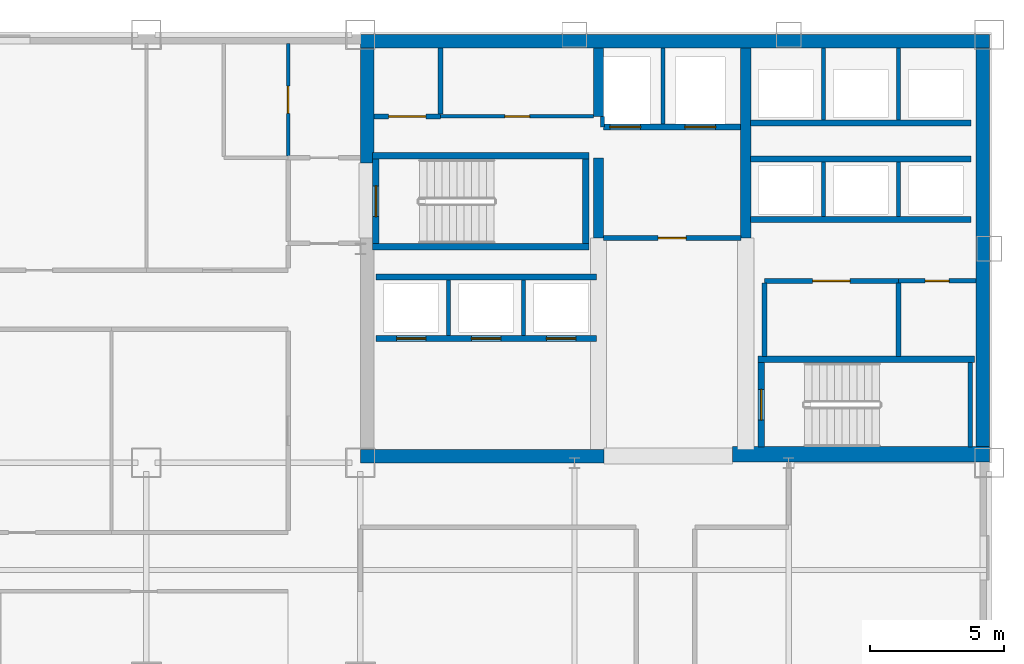
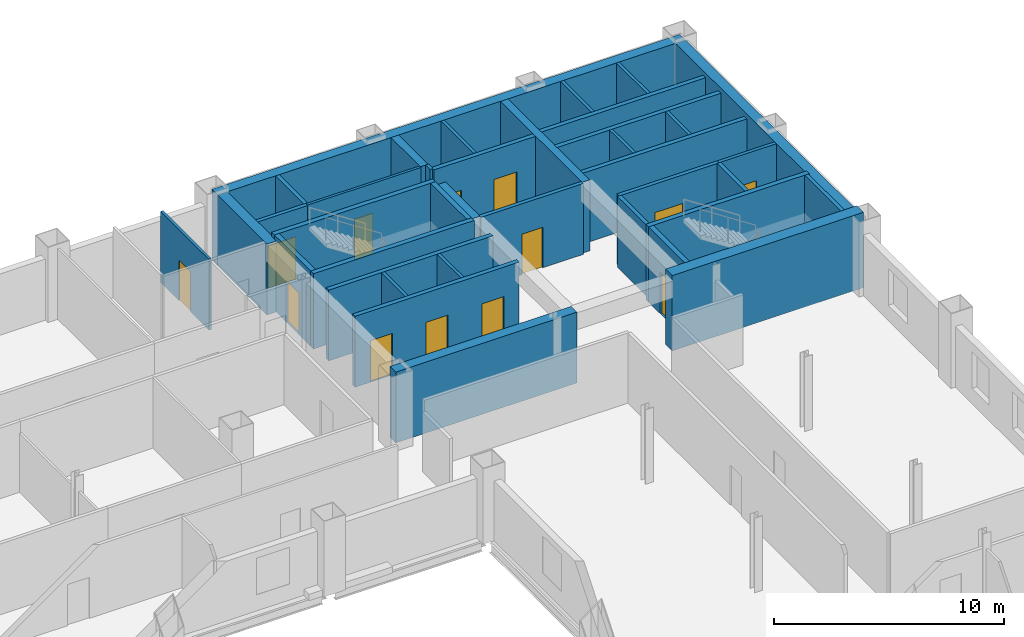
# One storey, part 7 of 10: 38 walls, 13 doors, 13 openings.
"""IFC4 building model written with IfcOpenShell, lengths in metres."""

from ifc_helpers import new_model, si_unit, direction, frame, frame_2d, origin, place, context, subcontext, project, spatial, rectangle, extrude, material, layer, layer_set, type_object, element, fill, save


model = new_model("IFC4")

# Units and contexts
model_context = context("Model", 3, precision=1e-05, world=origin(), true_north=direction((0.0, 1.0)))
body_context = subcontext(model_context, "Body", "Model", "MODEL_VIEW")
ifc_project = project(units=[si_unit("LENGTHUNIT", "METRE"), si_unit("AREAUNIT", "SQUARE_METRE"), si_unit("VOLUMEUNIT", "CUBIC_METRE"), si_unit("PLANEANGLEUNIT", "RADIAN"), si_unit("MASSUNIT", "GRAM", prefix="KILO")], contexts=[model_context])

# Site, building, storey
site_placement = place(None, origin())
site = spatial("IfcSite", under=ifc_project, at=site_placement, CompositionType="ELEMENT")
building_placement = place(site_placement, origin())
building = spatial("IfcBuilding", under=site, at=building_placement, Name="Qianrong Seaharbour Tower", CompositionType="ELEMENT")
storey_placement = place(building_placement, frame((0.0, 0.0, 131.0)))
storey = spatial("IfcBuildingStorey", under=building, at=storey_placement, Name="L31", CompositionType="ELEMENT", Elevation=131.0)

# Walls
ifc_material_1 = material(Name="Concrete C60/75", Category="concrete")
ifc_layer_1 = layer(ifc_material_1, 0.5)
ifc_layer_set_1 = layer_set([ifc_layer_1], Name="Concrete C60/75")
wall_type_1 = type_object("IfcWallType", Name="WALL-CORE-500", PredefinedType="SHEAR", material=ifc_layer_set_1)
wall_1_placement = place(storey_placement, frame((40.5, 51.75, 0.0), z_axis=(0.0, 0.0, 1.0), x_axis=(1.0, 0.0, 0.0)))
element("IfcWall", 1, at=wall_1_placement, inside=storey, type_object=wall_type_1, Name="L31 North Core Shear Wall", PredefinedType="SHEAR", context=body_context, shape_type="SweptSolid", body=[
    extrude(rectangle(XDim=23.5, YDim=0.5, at=frame_2d((11.75, 0.0))), origin(), (0.0, 0.0, 1.0), 3.764892578125),
])
wall_2_placement = place(storey_placement, frame((63.75, 36.320068359375, 0.0), z_axis=(0.0, 0.0, 1.0), x_axis=(0.0, 1.0, 0.0)))
element("IfcWall", 2, at=wall_2_placement, inside=storey, type_object=wall_type_1, Name="L31 East Core Shear Wall", PredefinedType="SHEAR", context=body_context, shape_type="SweptSolid", body=[
    extrude(rectangle(XDim=15.179931640625, YDim=0.5, at=frame_2d((7.58984375, 0.0))), origin(), (0.0, 0.0, 1.0), 3.764892578125),
])
wall_3_placement = place(storey_placement, frame((40.75, 47.199951171875, 0.0), z_axis=(0.0, 0.0, 1.0), x_axis=(0.0, 1.0, 0.0)))
element("IfcWall", 3, at=wall_3_placement, inside=storey, type_object=wall_type_1, Name="L31 West Core Shear Wall North", PredefinedType="SHEAR", context=body_context, shape_type="SweptSolid", body=[
    extrude(rectangle(XDim=4.300048828125, YDim=0.5, at=frame_2d((2.14990234375, 0.0))), origin(), (0.0, 0.0, 1.0), 3.764892578125),
])
wall_4_placement = place(storey_placement, frame((40.5, 36.25, 0.0), z_axis=(0.0, 0.0, 1.0), x_axis=(1.0, 0.0, 0.0)))
element("IfcWall", 4, at=wall_4_placement, inside=storey, type_object=wall_type_1, Name="L31 South Core Shear Wall S1", PredefinedType="SHEAR", context=body_context, shape_type="SweptSolid", body=[
    extrude(rectangle(XDim=9.10009765625, YDim=0.5, at=frame_2d((4.550048828125, 0.0))), origin(), (0.0, 0.0, 1.0), 3.764892578125),
])
ifc_material_2 = material(Name="Concrete C70/85", Category="concrete")
ifc_layer_2 = layer(ifc_material_2, 0.580078125)
ifc_layer_set_2 = layer_set([ifc_layer_2], Name="Concrete C70/85")
wall_type_2 = type_object("IfcWallType", Name="WALL-CORE-580", PredefinedType="SHEAR", material=ifc_layer_set_2)
wall_5_placement = place(storey_placement, frame((54.39990234375, 36.320068359375, 0.0), z_axis=(0.0, 0.0, 1.0), x_axis=(1.0, 0.0, 0.0)))
element("IfcWall", 5, at=wall_5_placement, inside=storey, type_object=wall_type_2, Name="L31 South Core Shear Wall S3", PredefinedType="SHEAR", context=body_context, shape_type="SweptSolid", body=[
    extrude(rectangle(XDim=9.60009765625, YDim=0.580078125, at=frame_2d((4.800048828125, 0.0))), origin(), (0.0, 0.0, 1.0), 4.0),
])
ifc_layer_3 = layer(ifc_material_1, 0.3798828125)
ifc_layer_set_3 = layer_set([ifc_layer_3], Name="Concrete C60/75")
wall_type_3 = type_object("IfcWallType", Name="WALL-CORE-INT-380", PredefinedType="SHEAR", material=ifc_layer_set_3)
wall_6_placement = place(storey_placement, frame((49.39990234375, 44.39990234375, 0.0), z_axis=(0.0, 0.0, 1.0), x_axis=(0.0, 1.0, 0.0)))
element("IfcWall", 6, at=wall_6_placement, inside=storey, type_object=wall_type_3, Name="L31 Internal Core Shear Wall IW1N1", PredefinedType="SHEAR", context=body_context, shape_type="SweptSolid", body=[
    extrude(rectangle(XDim=3.0, YDim=0.3798828125, at=frame_2d((1.5, 0.0))), origin(), (0.0, 0.0, 1.0), 3.764892578125),
])
wall_7_placement = place(storey_placement, frame((49.39990234375, 48.949951171875, 0.0), z_axis=(0.0, 0.0, 1.0), x_axis=(0.0, 1.0, 0.0)))
element("IfcWall", 7, at=wall_7_placement, inside=storey, type_object=wall_type_3, Name="L31 Internal Core Shear Wall IW1N2", PredefinedType="SHEAR", context=body_context, shape_type="SweptSolid", body=[
    extrude(rectangle(XDim=2.550048828125, YDim=0.3798828125, at=frame_2d((1.27490234375, 0.0))), origin(), (0.0, 0.0, 1.0), 3.764892578125),
])
wall_8_placement = place(storey_placement, frame((54.89990234375, 44.39990234375, 0.0), z_axis=(0.0, 0.0, 1.0), x_axis=(0.0, 1.0, 0.0)))
element("IfcWall", 8, at=wall_8_placement, inside=storey, type_object=wall_type_3, Name="L31 Internal Core Shear Wall IW2N", PredefinedType="SHEAR", context=body_context, shape_type="SweptSolid", body=[
    extrude(rectangle(XDim=7.10009765625, YDim=0.3798828125, at=frame_2d((3.550048828125, 0.0))), origin(), (0.0, 0.0, 1.0), 3.764892578125),
])

# Wall, opening, door
ifc_material_3 = material(Name="Fire-rated acoustic gypsum board partition")
ifc_layer_4 = layer(ifc_material_3, 0.1650390625)
ifc_layer_set_4 = layer_set([ifc_layer_4], Name="Fire-rated acoustic gypsum board partition")
wall_type_4 = type_object("IfcWallType", Name="WALL-CORR-PART-165", PredefinedType="PARTITIONING", material=ifc_layer_set_4)
wall_9_placement = place(storey_placement, frame((63.5, 42.800048828125, 0.0), z_axis=(0.0, 0.0, 1.0), x_axis=(-1.0, 0.0, 0.0)))
wall_9 = element("IfcWall", 9, at=wall_9_placement, inside=storey, type_object=wall_type_4, Name="L31 Interior Partition Wall 012", PredefinedType="PARTITIONING", context=body_context, shape_type="SweptSolid", body=[
    extrude(rectangle(XDim=2.89990234375, YDim=0.1650390625, at=frame_2d((1.449951171875, 0.0))), origin(), (0.0, 0.0, 1.0), 3.764892578125),
])
opening_1_placement = place(wall_9_placement, frame((1.0, 0.0, 0.0)))
opening_1 = element("IfcOpeningElement", 10, at=opening_1_placement, cuts=wall_9, Name="Opening DS-01", PredefinedType="OPENING", context=body_context, shape_type="SweptSolid", body=[
    extrude(rectangle(XDim=0.89990234375, YDim=2.14990234375, at=frame_2d((0.449951171875, 1.074951171875))), frame((0.0, 0.092529296875, 0.0), z_axis=(0.0, -1.0, 0.0), x_axis=(1.0, 0.0, 0.0)), (0.0, 0.0, 1.0), 0.18505859375),
])
ifc_material_4 = material(Name="Acoustic timber and galvanized steel fire door assembly", Category="steel")
door_type_1 = type_object("IfcDoorType", Name="DOOR-STORE-900x2150", OperationType="NOTDEFINED", PredefinedType="DOOR", material=ifc_material_4)
door_1_placement = place(opening_1_placement, origin())
door_1 = element("IfcDoor", 11, at=door_1_placement, inside=storey, type_object=door_type_1, Name="L31 Housekeeping Linen Store Door", OperationType="SINGLE_SWING_RIGHT", OverallHeight=2.14990234375, OverallWidth=0.89990234375, PredefinedType="DOOR", context=body_context, shape_type="SweptSolid", body=[
    extrude(rectangle(XDim=0.89990234375, YDim=2.14990234375, at=frame_2d((0.449951171875, 1.074951171875))), frame((0.0, 0.02490234375, 0.0), z_axis=(0.0, -1.0, 0.0), x_axis=(1.0, 0.0, 0.0)), (0.0, 0.0, 1.0), 0.050048828125),
])
fill(opening_1, door_1)

ifc_material_5 = material(Name="Double fire-rated gypsum board acoustic partition")
ifc_layer_5 = layer(ifc_material_5, 0.18994140625)
ifc_layer_set_5 = layer_set([ifc_layer_5], Name="Double fire-rated gypsum board acoustic partition")
wall_type_5 = type_object("IfcWallType", Name="WALL-FIRE-PART-190", PredefinedType="PARTITIONING", material=ifc_layer_set_5)
wall_10_placement = place(storey_placement, frame((41.0, 48.949951171875, 0.0), z_axis=(0.0, 0.0, 1.0), x_axis=(1.0, 0.0, 0.0)))
wall_10 = element("IfcWall", 12, at=wall_10_placement, inside=storey, type_object=wall_type_5, Name="L31 Interior Partition Wall 007", PredefinedType="PARTITIONING", context=body_context, shape_type="SweptSolid", body=[
    extrude(rectangle(XDim=2.5, YDim=0.18994140625, at=frame_2d((1.25, 0.0))), origin(), (0.0, 0.0, 1.0), 3.764892578125),
])
opening_2_placement = place(wall_10_placement, frame((0.550048828125, 0.0, 0.0)))
opening_2 = element("IfcOpeningElement", 13, at=opening_2_placement, cuts=wall_10, Name="Opening DP-01", PredefinedType="OPENING", context=body_context, shape_type="SweptSolid", body=[
    extrude(rectangle(XDim=1.39990234375, YDim=2.25, at=frame_2d((0.699951171875, 1.125))), frame((0.0, 0.10498046875, 0.0), z_axis=(0.0, -1.0, 0.0), x_axis=(1.0, 0.0, 0.0)), (0.0, 0.0, 1.0), 0.2099609375),
])
door_type_2 = type_object("IfcDoorType", Name="DOOR-PLANT-PAIR-1400x2250", OperationType="DOUBLE_DOOR_SINGLE_SWING", PredefinedType="DOOR", material=ifc_material_4)
door_2_placement = place(opening_2_placement, origin())
door_2 = element("IfcDoor", 14, at=door_2_placement, inside=storey, type_object=door_type_2, Name="L31 Core Electrical Closet Door", OperationType="DOUBLE_DOOR_SINGLE_SWING", OverallHeight=2.25, OverallWidth=1.39990234375, PredefinedType="DOOR", context=body_context, shape_type="SweptSolid", body=[
    extrude(rectangle(XDim=1.39990234375, YDim=2.25, at=frame_2d((0.699951171875, 1.125))), frame((0.0, 0.02490234375, 0.0), z_axis=(0.0, -1.0, 0.0), x_axis=(1.0, 0.0, 0.0)), (0.0, 0.0, 1.0), 0.050048828125),
])
fill(opening_2, door_2)

wall_11_placement = place(storey_placement, frame((54.718017578125, 44.39990234375, 0.0), z_axis=(0.0, 0.0, 1.0), x_axis=(-1.0, 0.0, 0.0)))
wall_11 = element("IfcWall", 15, at=wall_11_placement, inside=storey, type_object=wall_type_5, Name="L31 Interior Partition Wall 009", PredefinedType="PARTITIONING", context=body_context, shape_type="SweptSolid", body=[
    extrude(rectangle(XDim=5.135986328125, YDim=0.18994140625, at=frame_2d((2.56787109375, 0.0))), origin(), (0.0, 0.0, 1.0), 3.764892578125),
])
opening_3_placement = place(wall_11_placement, frame((2.04296875, 0.0, 0.0)))
opening_3 = element("IfcOpeningElement", 16, at=opening_3_placement, cuts=wall_11, Name="Opening DC-01", PredefinedType="OPENING", context=body_context, shape_type="SweptSolid", body=[
    extrude(rectangle(XDim=1.050048828125, YDim=2.14990234375, at=frame_2d((0.52490234375, 1.074951171875))), frame((0.0, 0.10498046875, 0.0), z_axis=(0.0, -1.0, 0.0), x_axis=(1.0, 0.0, 0.0)), (0.0, 0.0, 1.0), 0.2099609375),
])
door_type_3 = type_object("IfcDoorType", Name="DOOR-CORR-FD60-1050x2150", OperationType="NOTDEFINED", PredefinedType="DOOR", material=ifc_material_4)
door_3_placement = place(opening_3_placement, origin())
door_3 = element("IfcDoor", 17, at=door_3_placement, inside=storey, type_object=door_type_3, Name="L31 Firefighting Lift Lobby Door", OperationType="SINGLE_SWING_RIGHT", OverallHeight=2.14990234375, OverallWidth=1.050048828125, PredefinedType="DOOR", context=body_context, shape_type="SweptSolid", body=[
    extrude(rectangle(XDim=1.050048828125, YDim=2.14990234375, at=frame_2d((0.52490234375, 1.074951171875))), frame((0.0, 0.02490234375, 0.0), z_axis=(0.0, -1.0, 0.0), x_axis=(1.0, 0.0, 0.0)), (0.0, 0.0, 1.0), 0.050048828125),
])
fill(opening_3, door_3)

# Wall
wall_12_placement = place(storey_placement, frame((55.60009765625, 42.712890625, 0.0), z_axis=(0.0, 0.0, 1.0), x_axis=(0.0, -1.0, 0.0)))
element("IfcWall", 18, at=wall_12_placement, inside=storey, type_object=wall_type_5, Name="L31 Interior Partition Wall 010", PredefinedType="PARTITIONING", context=body_context, shape_type="SweptSolid", body=[
    extrude(rectangle(XDim=2.73095703125, YDim=0.18994140625, at=frame_2d((1.365478515625, 0.0))), origin(), (0.0, 0.0, 1.0), 3.764892578125),
])

# Wall, opening, door
wall_13_placement = place(storey_placement, frame((60.60009765625, 42.800048828125, 0.0), z_axis=(0.0, 0.0, 1.0), x_axis=(-1.0, 0.0, 0.0)))
wall_13 = element("IfcWall", 19, at=wall_13_placement, inside=storey, type_object=wall_type_5, Name="L31 Interior Partition Wall 011", PredefinedType="PARTITIONING", context=body_context, shape_type="SweptSolid", body=[
    extrude(rectangle(XDim=5.0, YDim=0.18994140625, at=frame_2d((2.5, 0.0))), origin(), (0.0, 0.0, 1.0), 3.764892578125),
])
opening_4_placement = place(wall_13_placement, frame((1.800048828125, 0.0, 0.0)))
opening_4 = element("IfcOpeningElement", 20, at=opening_4_placement, cuts=wall_13, Name="Opening DP-01", PredefinedType="OPENING", context=body_context, shape_type="SweptSolid", body=[
    extrude(rectangle(XDim=1.39990234375, YDim=2.25, at=frame_2d((0.699951171875, 1.125))), frame((0.0, 0.10498046875, 0.0), z_axis=(0.0, -1.0, 0.0), x_axis=(1.0, 0.0, 0.0)), (0.0, 0.0, 1.0), 0.2099609375),
])
door_4_placement = place(opening_4_placement, origin())
door_4 = element("IfcDoor", 21, at=door_4_placement, inside=storey, type_object=door_type_2, Name="L31 Submetering Switch Room Door", OperationType="DOUBLE_DOOR_SINGLE_SWING", OverallHeight=2.25, OverallWidth=1.39990234375, PredefinedType="DOOR", context=body_context, shape_type="SweptSolid", body=[
    extrude(rectangle(XDim=1.39990234375, YDim=2.25, at=frame_2d((0.699951171875, 1.125))), frame((0.0, 0.02490234375, 0.0), z_axis=(0.0, -1.0, 0.0), x_axis=(1.0, 0.0, 0.0)), (0.0, 0.0, 1.0), 0.050048828125),
])
fill(opening_4, door_4)

# Walls
wall_14_placement = place(storey_placement, frame((43.5, 51.5, 0.0), z_axis=(0.0, 0.0, 1.0), x_axis=(0.0, -1.0, 0.0)))
element("IfcWall", 22, at=wall_14_placement, inside=storey, type_object=wall_type_5, Name="L31 Interior Partition Wall 013", PredefinedType="PARTITIONING", context=body_context, shape_type="SweptSolid", body=[
    extrude(rectangle(XDim=2.462890625, YDim=0.18994140625, at=frame_2d((1.2314453125, 0.0))), origin(), (0.0, 0.0, 1.0), 3.764892578125),
])
wall_15_placement = place(storey_placement, frame((60.60009765625, 42.712890625, 0.0), z_axis=(0.0, 0.0, 1.0), x_axis=(0.0, -1.0, 0.0)))
element("IfcWall", 23, at=wall_15_placement, inside=storey, type_object=wall_type_5, Name="L31 Interior Partition Wall 014", PredefinedType="PARTITIONING", context=body_context, shape_type="SweptSolid", body=[
    extrude(rectangle(XDim=2.73095703125, YDim=0.18994140625, at=frame_2d((1.365478515625, 0.0))), origin(), (0.0, 0.0, 1.0), 3.764892578125),
])
ifc_material_6 = material(Name="Fire-rated gypsum board on steel studs", Category="steel")
ifc_layer_6 = layer(ifc_material_6, 0.14990234375)
ifc_layer_set_6 = layer_set([ifc_layer_6], Name="Fire-rated gypsum board on steel studs")
wall_type_6 = type_object("IfcWallType", Name="WALL-SHAFT-DIV-150", PredefinedType="PARTITIONING", material=ifc_layer_set_6)
wall_16_placement = place(storey_placement, frame((51.800048828125, 48.669921875, 0.0), z_axis=(0.0, 0.0, 1.0), x_axis=(0.0, 1.0, 0.0)))
element("IfcWall", 24, at=wall_16_placement, inside=storey, type_object=wall_type_6, Name="L31 Firefighting Lift Shaft Divider Wall", PredefinedType="PARTITIONING", context=body_context, shape_type="SweptSolid", body=[
    extrude(rectangle(XDim=2.830078125, YDim=0.14990234375, at=frame_2d((1.4150390625, 0.0))), origin(), (0.0, 0.0, 1.0), 3.764892578125),
])
wall_17_placement = place(storey_placement, frame((49.550048828125, 48.550048828125, 0.0), z_axis=(0.0, 0.0, 1.0), x_axis=(0.0, 1.0, 0.0)))
element("IfcWall", 25, at=wall_17_placement, inside=storey, type_object=wall_type_6, Name="L31 Firefighting Lift Shaft West Return Wall", PredefinedType="PARTITIONING", context=body_context, shape_type="SweptSolid", body=[
    extrude(rectangle(XDim=0.39990234375, YDim=0.14990234375, at=frame_2d((0.199951171875, 0.0))), origin(), (0.0, 0.0, 1.0), 3.764892578125),
])
for number, where, z_axis, x_axis, name in (
    (26, (43.800048828125, 40.760009765625, 0.0), (0.0, 0.0, 1.0), (0.0, 1.0, 0.0), "L31 P2 Lift Hoistway Divider 2"),
    (27, (46.60009765625, 40.760009765625, 0.0), (0.0, 0.0, 1.0), (0.0, 1.0, 0.0), "L31 P2 Lift Hoistway Divider 3"),
):
    element("IfcWall", number, at=place(storey_placement, frame(where, z_axis=z_axis, x_axis=x_axis)), inside=storey, type_object=wall_type_6, Name=name, PredefinedType="PARTITIONING", context=body_context, shape_type="SweptSolid", body=[
        extrude(rectangle(XDim=2.080078125, YDim=0.14990234375, at=frame_2d((1.0400390625, 0.0))), origin(), (0.0, 0.0, 1.0), 3.764892578125),
    ])
for number, where, z_axis, x_axis, name in (
    (28, (57.800048828125, 45.2099609375, 0.0), (0.0, 0.0, 1.0), (0.0, 1.0, 0.0), "L31 P3 Lift Hoistway Divider 2"),
    (29, (60.60009765625, 45.2099609375, 0.0), (0.0, 0.0, 1.0), (0.0, 1.0, 0.0), "L31 P3 Lift Hoistway Divider 3"),
):
    element("IfcWall", number, at=place(storey_placement, frame(where, z_axis=z_axis, x_axis=x_axis)), inside=storey, type_object=wall_type_6, Name=name, PredefinedType="PARTITIONING", context=body_context, shape_type="SweptSolid", body=[
        extrude(rectangle(XDim=2.030029296875, YDim=0.14990234375, at=frame_2d((1.01513671875, 0.0))), origin(), (0.0, 0.0, 1.0), 3.764892578125),
    ])
for number, where, z_axis, x_axis, name in (
    (30, (57.800048828125, 48.81005859375, 0.0), (0.0, 0.0, 1.0), (0.0, 1.0, 0.0), "L31 P4 Lift Hoistway Divider 2"),
    (31, (60.60009765625, 48.81005859375, 0.0), (0.0, 0.0, 1.0), (0.0, 1.0, 0.0), "L31 P4 Lift Hoistway Divider 3"),
):
    element("IfcWall", number, at=place(storey_placement, frame(where, z_axis=z_axis, x_axis=x_axis)), inside=storey, type_object=wall_type_6, Name=name, PredefinedType="PARTITIONING", context=body_context, shape_type="SweptSolid", body=[
        extrude(rectangle(XDim=2.68994140625, YDim=0.14990234375, at=frame_2d((1.344970703125, 0.0))), origin(), (0.0, 0.0, 1.0), 3.764892578125),
    ])

# Wall, openings, doors
ifc_layer_7 = layer(ifc_material_6, 0.219970703125)
ifc_layer_set_7 = layer_set([ifc_layer_7], Name="Fire-rated gypsum board on steel studs")
wall_type_7 = type_object("IfcWallType", Name="WALL-SHAFT-GYP220", PredefinedType="PARTITIONING", material=ifc_layer_set_7)
wall_18_placement = place(storey_placement, frame((54.7099609375, 48.550048828125, 0.0), z_axis=(0.0, 0.0, 1.0), x_axis=(-1.0, 0.0, 0.0)))
wall_18 = element("IfcWall", 32, at=wall_18_placement, inside=storey, type_object=wall_type_7, Name="L31 Firefighting Lift Shaft Front Wall", PredefinedType="PARTITIONING", context=body_context, shape_type="SweptSolid", body=[
    extrude(rectangle(XDim=5.119873046875, YDim=0.219970703125, at=frame_2d((2.56005859375, 0.0))), origin(), (0.0, 0.0, 1.0), 3.764892578125),
])
opening_5_placement = place(wall_18_placement, frame((3.735107421875, 0.0, 0.0)))
opening_5 = element("IfcOpeningElement", 33, at=opening_5_placement, cuts=wall_18, Name="Opening LD-01", PredefinedType="OPENING", context=body_context, shape_type="SweptSolid", body=[
    extrude(rectangle(XDim=1.14990234375, YDim=2.199951171875, at=frame_2d((0.574951171875, 1.10009765625))), frame((0.0, 0.1201171875, 0.0), z_axis=(0.0, -1.0, 0.0), x_axis=(1.0, 0.0, 0.0)), (0.0, 0.0, 1.0), 0.239990234375),
])
opening_6_placement = place(wall_18_placement, frame((0.93505859375, 0.0, 0.0)))
opening_6 = element("IfcOpeningElement", 34, at=opening_6_placement, cuts=wall_18, Name="Opening LD-01", PredefinedType="OPENING", context=body_context, shape_type="SweptSolid", body=[
    extrude(rectangle(XDim=1.14990234375, YDim=2.199951171875, at=frame_2d((0.574951171875, 1.10009765625))), frame((0.0, 0.1201171875, 0.0), z_axis=(0.0, -1.0, 0.0), x_axis=(1.0, 0.0, 0.0)), (0.0, 0.0, 1.0), 0.239990234375),
])
ifc_material_7 = material(Name="Stainless steel SUS316L bi-parting lift landing door", Category="steel")
door_type_4 = type_object("IfcDoorType", Name="DOOR-LIFT-FF-1150x2200", OperationType="DOUBLE_DOOR_SLIDING", PredefinedType="DOOR", material=ifc_material_7)
door_5_placement = place(opening_5_placement, origin())
door_5 = element("IfcDoor", 35, at=door_5_placement, inside=storey, type_object=door_type_4, Name="L31 FL-1 Firefighting Lift Landing Door", OperationType="DOUBLE_DOOR_SLIDING", OverallHeight=2.199951171875, OverallWidth=1.14990234375, PredefinedType="DOOR", context=body_context, shape_type="SweptSolid", body=[
    extrude(rectangle(XDim=1.14990234375, YDim=2.199951171875, at=frame_2d((0.574951171875, 1.10009765625))), frame((0.0, 0.02490234375, 0.0), z_axis=(0.0, -1.0, 0.0), x_axis=(1.0, 0.0, 0.0)), (0.0, 0.0, 1.0), 0.050048828125),
])
fill(opening_5, door_5)
door_6_placement = place(opening_6_placement, origin())
door_6 = element("IfcDoor", 36, at=door_6_placement, inside=storey, type_object=door_type_4, Name="L31 FL-2 Firefighting Lift Landing Door", OperationType="DOUBLE_DOOR_SLIDING", OverallHeight=2.199951171875, OverallWidth=1.14990234375, PredefinedType="DOOR", context=body_context, shape_type="SweptSolid", body=[
    extrude(rectangle(XDim=1.14990234375, YDim=2.199951171875, at=frame_2d((0.574951171875, 1.10009765625))), frame((0.0, 0.02490234375, 0.0), z_axis=(0.0, -1.0, 0.0), x_axis=(1.0, 0.0, 0.0)), (0.0, 0.0, 1.0), 0.050048828125),
])
fill(opening_6, door_6)

wall_19_placement = place(storey_placement, frame((49.320068359375, 40.64990234375, 0.0), z_axis=(0.0, 0.0, 1.0), x_axis=(-1.0, 0.0, 0.0)))
wall_19 = element("IfcWall", 37, at=wall_19_placement, inside=storey, type_object=wall_type_7, Name="L31 P2 Lift Hoistway Front Wall", PredefinedType="PARTITIONING", context=body_context, shape_type="SweptSolid", body=[
    extrude(rectangle(XDim=8.239990234375, YDim=0.219970703125, at=frame_2d((4.1201171875, 0.0))), origin(), (0.0, 0.0, 1.0), 3.764892578125),
])
opening_7_placement = place(wall_19_placement, frame((6.3701171875, 0.0, 0.0)))
opening_7 = element("IfcOpeningElement", 38, at=opening_7_placement, cuts=wall_19, Name="Opening LD-02", PredefinedType="OPENING", context=body_context, shape_type="SweptSolid", body=[
    extrude(rectangle(XDim=1.10009765625, YDim=2.199951171875, at=frame_2d((0.550048828125, 1.10009765625))), frame((0.0, 0.1201171875, 0.0), z_axis=(0.0, -1.0, 0.0), x_axis=(1.0, 0.0, 0.0)), (0.0, 0.0, 1.0), 0.239990234375),
])
opening_8_placement = place(wall_19_placement, frame((3.570068359375, 0.0, 0.0)))
opening_8 = element("IfcOpeningElement", 39, at=opening_8_placement, cuts=wall_19, Name="Opening LD-02", PredefinedType="OPENING", context=body_context, shape_type="SweptSolid", body=[
    extrude(rectangle(XDim=1.10009765625, YDim=2.199951171875, at=frame_2d((0.550048828125, 1.10009765625))), frame((0.0, 0.1201171875, 0.0), z_axis=(0.0, -1.0, 0.0), x_axis=(1.0, 0.0, 0.0)), (0.0, 0.0, 1.0), 0.239990234375),
])
opening_9_placement = place(wall_19_placement, frame((0.77001953125, 0.0, 0.0)))
opening_9 = element("IfcOpeningElement", 40, at=opening_9_placement, cuts=wall_19, Name="Opening LD-02", PredefinedType="OPENING", context=body_context, shape_type="SweptSolid", body=[
    extrude(rectangle(XDim=1.10009765625, YDim=2.199951171875, at=frame_2d((0.550048828125, 1.10009765625))), frame((0.0, 0.1201171875, 0.0), z_axis=(0.0, -1.0, 0.0), x_axis=(1.0, 0.0, 0.0)), (0.0, 0.0, 1.0), 0.239990234375),
])
door_type_5 = type_object("IfcDoorType", Name="DOOR-LIFT-PASS-1100x2200", OperationType="DOUBLE_DOOR_SLIDING", PredefinedType="DOOR", material=ifc_material_7)
door_7_placement = place(opening_7_placement, origin())
door_7 = element("IfcDoor", 41, at=door_7_placement, inside=storey, type_object=door_type_5, Name="L31 PL-2A Lift Landing Door", OperationType="DOUBLE_DOOR_SLIDING", OverallHeight=2.199951171875, OverallWidth=1.10009765625, PredefinedType="DOOR", context=body_context, shape_type="SweptSolid", body=[
    extrude(rectangle(XDim=1.10009765625, YDim=2.199951171875, at=frame_2d((0.550048828125, 1.10009765625))), frame((0.0, 0.02490234375, 0.0), z_axis=(0.0, -1.0, 0.0), x_axis=(1.0, 0.0, 0.0)), (0.0, 0.0, 1.0), 0.050048828125),
])
fill(opening_7, door_7)
door_8_placement = place(opening_8_placement, origin())
door_8 = element("IfcDoor", 42, at=door_8_placement, inside=storey, type_object=door_type_5, Name="L31 PL-2B Lift Landing Door", OperationType="DOUBLE_DOOR_SLIDING", OverallHeight=2.199951171875, OverallWidth=1.10009765625, PredefinedType="DOOR", context=body_context, shape_type="SweptSolid", body=[
    extrude(rectangle(XDim=1.10009765625, YDim=2.199951171875, at=frame_2d((0.550048828125, 1.10009765625))), frame((0.0, 0.02490234375, 0.0), z_axis=(0.0, -1.0, 0.0), x_axis=(1.0, 0.0, 0.0)), (0.0, 0.0, 1.0), 0.050048828125),
])
fill(opening_8, door_8)
door_9_placement = place(opening_9_placement, origin())
door_9 = element("IfcDoor", 43, at=door_9_placement, inside=storey, type_object=door_type_5, Name="L31 PL-2C Lift Landing Door", OperationType="DOUBLE_DOOR_SLIDING", OverallHeight=2.199951171875, OverallWidth=1.10009765625, PredefinedType="DOOR", context=body_context, shape_type="SweptSolid", body=[
    extrude(rectangle(XDim=1.10009765625, YDim=2.199951171875, at=frame_2d((0.550048828125, 1.10009765625))), frame((0.0, 0.02490234375, 0.0), z_axis=(0.0, -1.0, 0.0), x_axis=(1.0, 0.0, 0.0)), (0.0, 0.0, 1.0), 0.050048828125),
])
fill(opening_9, door_9)

# Walls
for number, where, z_axis, x_axis, name in (
    (44, (41.080078125, 42.949951171875, 0.0), (0.0, 0.0, 1.0), (1.0, 0.0, 0.0), "L31 P2 Lift Hoistway Back Wall"),
    (45, (63.320068359375, 45.10009765625, 0.0), (0.0, 0.0, 1.0), (-1.0, 0.0, 0.0), "L31 P3 Lift Hoistway Front Wall"),
    (46, (55.080078125, 47.35009765625, 0.0), (0.0, 0.0, 1.0), (1.0, 0.0, 0.0), "L31 P3 Lift Hoistway Back Wall"),
    (47, (63.320068359375, 48.699951171875, 0.0), (0.0, 0.0, 1.0), (-1.0, 0.0, 0.0), "L31 P4 Lift Hoistway Front Wall"),
):
    element("IfcWall", number, at=place(storey_placement, frame(where, z_axis=z_axis, x_axis=x_axis)), inside=storey, type_object=wall_type_7, Name=name, PredefinedType="PARTITIONING", context=body_context, shape_type="SweptSolid", body=[
        extrude(rectangle(XDim=8.239990234375, YDim=0.219970703125, at=frame_2d((4.1201171875, 0.0))), origin(), (0.0, 0.0, 1.0), 3.764892578125),
    ])
ifc_material_8 = material(Name="Concrete C50/60", Category="concrete")
ifc_layer_8 = layer(ifc_material_8, 0.239990234375)
ifc_layer_set_8 = layer_set([ifc_layer_8], Name="Concrete C50/60")
wall_type_8 = type_object("IfcWallType", Name="WALL-SHAFT-RC240", PredefinedType="SOLIDWALL", material=ifc_layer_set_8)
for number, where, z_axis, x_axis, name in (
    (48, (40.9599609375, 47.469970703125, 0.0), (0.0, 0.0, 1.0), (1.0, 0.0, 0.0), "L31 ST-1 Structural Stair Core Wall N"),
    (49, (49.0400390625, 44.080078125, 0.0), (0.0, 0.0, 1.0), (-1.0, 0.0, 0.0), "L31 ST-1 Structural Stair Core Wall S"),
):
    element("IfcWall", number, at=place(storey_placement, frame(where, z_axis=z_axis, x_axis=x_axis)), inside=storey, type_object=wall_type_8, Name=name, PredefinedType="SOLIDWALL", context=body_context, shape_type="SweptSolid", body=[
        extrude(rectangle(XDim=8.080078125, YDim=0.239990234375, at=frame_2d((4.0400390625, 0.0))), origin(), (0.0, 0.0, 1.0), 4.0),
    ])

# Wall, opening, door
wall_20_placement = place(storey_placement, frame((41.080078125, 47.35009765625, 0.0), z_axis=(0.0, 0.0, 1.0), x_axis=(0.0, -1.0, 0.0)))
wall_20 = element("IfcWall", 50, at=wall_20_placement, inside=storey, type_object=wall_type_8, Name="L31 ST-1 Structural Stair Core Wall W", PredefinedType="SOLIDWALL", context=body_context, shape_type="SweptSolid", body=[
    extrude(rectangle(XDim=3.150146484375, YDim=0.239990234375, at=frame_2d((1.5751953125, 0.0))), origin(), (0.0, 0.0, 1.0), 4.0),
])
opening_10_placement = place(wall_20_placement, frame((1.0, 0.0, 0.0)))
opening_10 = element("IfcOpeningElement", 51, at=opening_10_placement, cuts=wall_20, Name="Opening SD-01", PredefinedType="OPENING", context=body_context, shape_type="SweptSolid", body=[
    extrude(rectangle(XDim=1.14990234375, YDim=2.199951171875, at=frame_2d((0.574951171875, 1.10009765625))), frame((0.0, 0.1298828125, 0.0), z_axis=(0.0, -1.0, 0.0), x_axis=(1.0, 0.0, 0.0)), (0.0, 0.0, 1.0), 0.260009765625),
])
door_type_6 = type_object("IfcDoorType", Name="DOOR-STAIR-FD60-1150x2200", OperationType="NOTDEFINED", PredefinedType="DOOR", material=ifc_material_4)
door_10_placement = place(opening_10_placement, origin())
door_10 = element("IfcDoor", 52, at=door_10_placement, inside=storey, type_object=door_type_6, Name="L31 ST-1 Protected Stair Door", OperationType="SINGLE_SWING_RIGHT", OverallHeight=2.199951171875, OverallWidth=1.14990234375, PredefinedType="DOOR", context=body_context, shape_type="SweptSolid", body=[
    extrude(rectangle(XDim=1.14990234375, YDim=2.199951171875, at=frame_2d((0.574951171875, 1.10009765625))), frame((0.0, 0.02490234375, 0.0), z_axis=(0.0, -1.0, 0.0), x_axis=(1.0, 0.0, 0.0)), (0.0, 0.0, 1.0), 0.050048828125),
])
fill(opening_10, door_10)

# Walls
wall_21_placement = place(storey_placement, frame((48.919921875, 44.199951171875, 0.0), z_axis=(0.0, 0.0, 1.0), x_axis=(0.0, 1.0, 0.0)))
element("IfcWall", 53, at=wall_21_placement, inside=storey, type_object=wall_type_8, Name="L31 ST-1 Structural Stair Core Wall E", PredefinedType="SOLIDWALL", context=body_context, shape_type="SweptSolid", body=[
    extrude(rectangle(XDim=3.150146484375, YDim=0.239990234375, at=frame_2d((1.5751953125, 0.0))), origin(), (0.0, 0.0, 1.0), 4.0),
])
wall_22_placement = place(storey_placement, frame((55.360107421875, 39.8701171875, 0.0), z_axis=(0.0, 0.0, 1.0), x_axis=(1.0, 0.0, 0.0)))
element("IfcWall", 54, at=wall_22_placement, inside=storey, type_object=wall_type_8, Name="L31 ST-2 Structural Stair Core Wall N", PredefinedType="SOLIDWALL", context=body_context, shape_type="SweptSolid", body=[
    extrude(rectangle(XDim=8.079833984375, YDim=0.239990234375, at=frame_2d((4.0400390625, 0.0))), origin(), (0.0, 0.0, 1.0), 4.0),
])

# Wall, opening, door
wall_23_placement = place(storey_placement, frame((55.47998046875, 39.75, 0.0), z_axis=(0.0, 0.0, 1.0), x_axis=(0.0, -1.0, 0.0)))
wall_23 = element("IfcWall", 55, at=wall_23_placement, inside=storey, type_object=wall_type_8, Name="L31 ST-2 Structural Stair Core Wall W", PredefinedType="SOLIDWALL", context=body_context, shape_type="SweptSolid", body=[
    extrude(rectangle(XDim=3.14990234375, YDim=0.239990234375, at=frame_2d((1.574951171875, 0.0))), origin(), (0.0, 0.0, 1.0), 4.0),
])
opening_11_placement = place(wall_23_placement, frame((1.0, 0.0, 0.0)))
opening_11 = element("IfcOpeningElement", 56, at=opening_11_placement, cuts=wall_23, Name="Opening SD-01", PredefinedType="OPENING", context=body_context, shape_type="SweptSolid", body=[
    extrude(rectangle(XDim=1.14990234375, YDim=2.199951171875, at=frame_2d((0.574951171875, 1.10009765625))), frame((0.0, 0.1298828125, 0.0), z_axis=(0.0, -1.0, 0.0), x_axis=(1.0, 0.0, 0.0)), (0.0, 0.0, 1.0), 0.260009765625),
])
door_11_placement = place(opening_11_placement, origin())
door_11 = element("IfcDoor", 57, at=door_11_placement, inside=storey, type_object=door_type_6, Name="L31 ST-2 Protected Stair Door", OperationType="SINGLE_SWING_RIGHT", OverallHeight=2.199951171875, OverallWidth=1.14990234375, PredefinedType="DOOR", context=body_context, shape_type="SweptSolid", body=[
    extrude(rectangle(XDim=1.14990234375, YDim=2.199951171875, at=frame_2d((0.574951171875, 1.10009765625))), frame((0.0, 0.02490234375, 0.0), z_axis=(0.0, -1.0, 0.0), x_axis=(1.0, 0.0, 0.0)), (0.0, 0.0, 1.0), 0.050048828125),
])
fill(opening_11, door_11)

# Wall
wall_24_placement = place(storey_placement, frame((63.2900390625, 36.60009765625, 0.0), z_axis=(0.0, 0.0, 1.0), x_axis=(0.0, 1.0, 0.0)))
element("IfcWall", 58, at=wall_24_placement, inside=storey, type_object=wall_type_8, Name="L31 ST-2 Structural Stair Core Wall E", PredefinedType="SOLIDWALL", context=body_context, shape_type="SweptSolid", body=[
    extrude(rectangle(XDim=3.14990234375, YDim=0.179931640625, at=frame_2d((1.574951171875, 0.0))), origin(), (0.0, 0.0, 1.0), 4.0),
])

# Wall, opening, door
ifc_material_9 = material(Name="Water-resistant cement board sanitary partition")
ifc_layer_9 = layer(ifc_material_9, 0.1298828125)
ifc_layer_set_9 = layer_set([ifc_layer_9], Name="Water-resistant cement board sanitary partition")
wall_type_9 = type_object("IfcWallType", Name="WALL-WET-PART-130", PredefinedType="PARTITIONING", material=ifc_layer_set_9)
wall_25_placement = place(storey_placement, frame((37.800048828125, 47.474609375, 0.0), z_axis=(0.0, 0.0, 1.0), x_axis=(0.0, 1.0, 0.0)))
wall_25 = element("IfcWall", 59, at=wall_25_placement, inside=storey, type_object=wall_type_9, Name="L31 Interior Partition Wall 004", PredefinedType="PARTITIONING", context=body_context, shape_type="SweptSolid", body=[
    extrude(rectangle(XDim=4.193359375, YDim=0.1298828125, at=frame_2d((2.0966796875, 0.0))), origin(), (0.0, 0.0, 1.0), 3.764892578125),
])
opening_12_placement = place(wall_25_placement, frame((1.5869140625, 0.0, 0.0)))
opening_12 = element("IfcOpeningElement", 60, at=opening_12_placement, cuts=wall_25, Name="Opening DAW-01", PredefinedType="OPENING", context=body_context, shape_type="SweptSolid", body=[
    extrude(rectangle(XDim=1.02001953125, YDim=2.14990234375, at=frame_2d((0.510009765625, 1.074951171875))), frame((0.0, 0.074951171875, 0.0), z_axis=(0.0, -1.0, 0.0), x_axis=(1.0, 0.0, 0.0)), (0.0, 0.0, 1.0), 0.14990234375),
])
door_type_7 = type_object("IfcDoorType", Name="DOOR-AWC-SLIDE-1020x2150", OperationType="SLIDING_TO_LEFT", PredefinedType="DOOR", material=ifc_material_4)
door_12_placement = place(opening_12_placement, origin())
door_12 = element("IfcDoor", 61, at=door_12_placement, inside=storey, type_object=door_type_7, Name="L31 Accessible Restroom WC Door", OperationType="SLIDING_TO_LEFT", OverallHeight=2.14990234375, OverallWidth=1.02001953125, PredefinedType="DOOR", context=body_context, shape_type="SweptSolid", body=[
    extrude(rectangle(XDim=1.02001953125, YDim=2.14990234375, at=frame_2d((0.510009765625, 1.074951171875))), frame((0.0, 0.02490234375, 0.0), z_axis=(0.0, -1.0, 0.0), x_axis=(1.0, 0.0, 0.0)), (0.0, 0.0, 1.0), 0.050048828125),
])
fill(opening_12, door_12)

wall_26_placement = place(storey_placement, frame((43.5, 48.949951171875, 0.0), z_axis=(0.0, 0.0, 1.0), x_axis=(1.0, 0.0, 0.0)))
wall_26 = element("IfcWall", 62, at=wall_26_placement, inside=storey, type_object=wall_type_9, Name="L31 Interior Partition Wall 008", PredefinedType="PARTITIONING", context=body_context, shape_type="SweptSolid", body=[
    extrude(rectangle(XDim=5.718017578125, YDim=0.1298828125, at=frame_2d((2.85888671875, 0.0))), origin(), (0.0, 0.0, 1.0), 3.764892578125),
])
opening_13_placement = place(wall_26_placement, frame((2.39892578125, 0.0, 0.0)))
opening_13 = element("IfcOpeningElement", 63, at=opening_13_placement, cuts=wall_26, Name="Opening DW-01", PredefinedType="OPENING", context=body_context, shape_type="SweptSolid", body=[
    extrude(rectangle(XDim=0.919921875, YDim=2.14990234375, at=frame_2d((0.4599609375, 1.074951171875))), frame((0.0, 0.074951171875, 0.0), z_axis=(0.0, -1.0, 0.0), x_axis=(1.0, 0.0, 0.0)), (0.0, 0.0, 1.0), 0.14990234375),
])
door_type_8 = type_object("IfcDoorType", Name="DOOR-WC-920x2150", OperationType="NOTDEFINED", PredefinedType="DOOR", material=ifc_material_4)
door_13_placement = place(opening_13_placement, origin())
door_13 = element("IfcDoor", 64, at=door_13_placement, inside=storey, type_object=door_type_8, Name="L31 Staff Restroom WC Door", OperationType="SINGLE_SWING_LEFT", OverallHeight=2.14990234375, OverallWidth=0.919921875, PredefinedType="DOOR", context=body_context, shape_type="SweptSolid", body=[
    extrude(rectangle(XDim=0.919921875, YDim=2.14990234375, at=frame_2d((0.4599609375, 1.074951171875))), frame((0.0, 0.02490234375, 0.0), z_axis=(0.0, -1.0, 0.0), x_axis=(1.0, 0.0, 0.0)), (0.0, 0.0, 1.0), 0.050048828125),
])
fill(opening_13, door_13)

save(model, "model.ifc")
